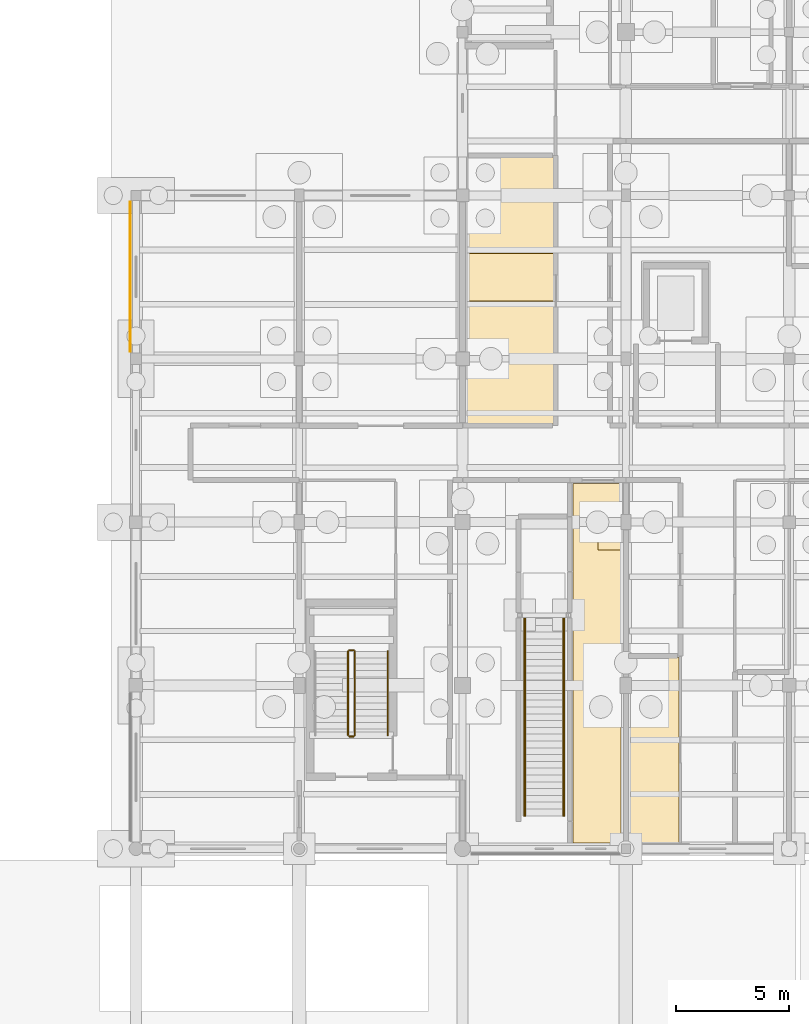
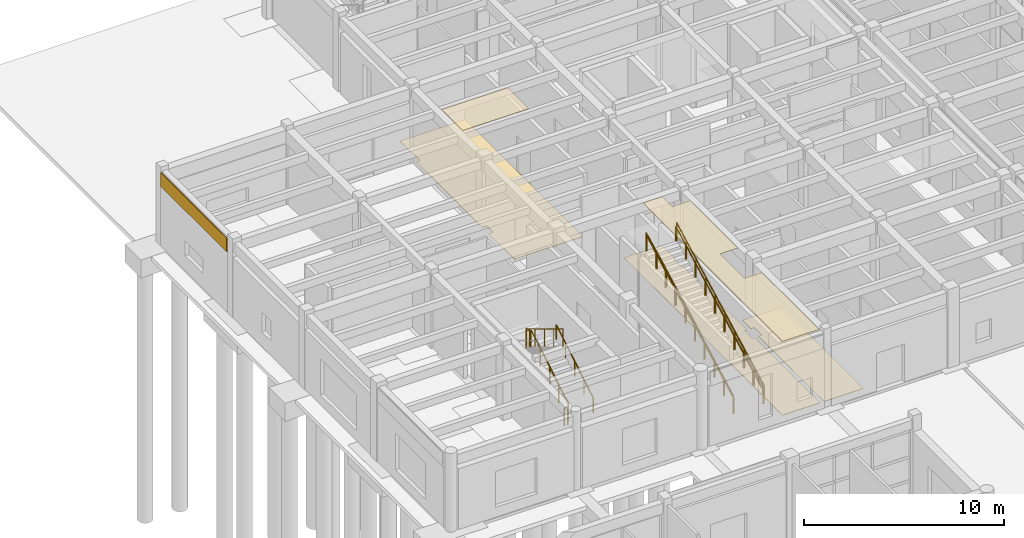
# One storey, part 132 of 143: 9 railings, 6 coverings.
"""IFC4 building model written with IfcOpenShell, lengths in metres."""

from ifc_helpers import new_model, si_unit, direction, frame, origin, origin_2d, place, context, subcontext, project, spatial, polyline, rectangle, circle, outline, extrude, material, layer, layer_set, type_object, element, save


model = new_model("IFC4")

# Units and contexts
model_context = context("Model", 3, precision=1e-05, world=origin(), true_north=direction((0.0, 1.0)))
body_context = subcontext(model_context, "Body", "Model", "MODEL_VIEW")
ifc_project = project(units=[si_unit("LENGTHUNIT", "METRE"), si_unit("AREAUNIT", "SQUARE_METRE"), si_unit("VOLUMEUNIT", "CUBIC_METRE"), si_unit("PLANEANGLEUNIT", "RADIAN"), si_unit("MASSUNIT", "GRAM", prefix="KILO")], contexts=[model_context])

# Site, building, storey
site_placement = place(None, origin())
site = spatial("IfcSite", under=ifc_project, at=site_placement, CompositionType="ELEMENT")
building_placement = place(site_placement, origin())
building = spatial("IfcBuilding", under=site, at=building_placement, Name="Steenspoor Specialist Clinic", CompositionType="ELEMENT")
storey_placement = place(building_placement, origin())
storey = spatial("IfcBuildingStorey", under=building, at=storey_placement, Name="L00", CompositionType="ELEMENT", Elevation=0.0)

# Coverings
ifc_material_1 = material(Name="Washable acoustic mineral ceiling board", Category="gypsum")
ifc_layer_1 = layer(ifc_material_1, 0.02490234375)
ifc_layer_set_1 = layer_set([ifc_layer_1], Name="Washable acoustic mineral ceiling board")
covering_type_1 = type_object("IfcCoveringType", Name="COV-CEIL-ACOUSTIC", PredefinedType="CEILING", material=ifc_layer_set_1)
covering_1_placement = place(storey_placement, frame((0.0, 0.0, 4.4951171875)))
element("IfcCovering", 1, at=covering_1_placement, inside=storey, type_object=covering_type_1, Name="Acoustic Clinical Ceiling 074", PredefinedType="CEILING", context=body_context, shape_type="SweptSolid", body=[
    extrude(outline(polyline([(34.875, 65.409912109375), (34.875, 79.330078125), (35.97998046875, 79.330078125), (35.97998046875, 78.330078125), (37.0048828125, 78.330078125), (37.0048828125, 73.570068359375), (35.97998046875, 73.570068359375), (35.97998046875, 71.1298828125), (36.97998046875, 71.1298828125), (36.97998046875, 65.409912109375), (34.875, 65.409912109375)])), origin(), (0.0, 0.0, 1.0), 0.02490234375),
])
covering_2_placement = place(storey_placement, frame((0.0, 0.0, 4.4951171875)))
element("IfcCovering", 2, at=covering_2_placement, inside=storey, type_object=covering_type_1, Name="Acoustic Clinical Ceiling 077", PredefinedType="CEILING", context=body_context, shape_type="SweptSolid", body=[
    extrude(outline(polyline([(34.034912109375, 89.2900390625), (30.219970703125, 89.2900390625), (30.219970703125, 91.39990234375), (34.034912109375, 91.39990234375), (34.034912109375, 89.2900390625)])), origin(), (0.0, 0.0, 1.0), 0.02490234375),
])
ifc_material_2 = material(Name="Glazed ceramic relief spandrel cladding", Category="masonry")
ifc_layer_2 = layer(ifc_material_2, 0.034912109375)
ifc_layer_set_2 = layer_set([ifc_layer_2], Name="Glazed ceramic relief spandrel cladding")
covering_type_2 = type_object("IfcCoveringType", Name="COV-CLAD-CERAMIC", PredefinedType="CLADDING", material=ifc_layer_set_2)
covering_3_placement = place(storey_placement, frame((15.35009765625, 90.362548828125, 3.68505859375), z_axis=(0.0, 0.0, 1.0), x_axis=(0.0, 1.0, 0.0)))
element("IfcCovering", 3, at=covering_3_placement, inside=storey, type_object=covering_type_2, Name="Spandrel Cladding 66", PredefinedType="CLADDING", context=body_context, shape_type="SweptSolid", body=[
    extrude(rectangle(XDim=6.60498046875, YDim=0.0400390625, at=origin_2d()), origin(), (0.0, 0.0, 1.0), 0.840087890625),
])
ifc_material_3 = material(Name="Seamless clinical vinyl and terrazzo flooring", Category="plastic")
ifc_layer_3 = layer(ifc_material_3, 0.02001953125)
ifc_layer_set_3 = layer_set([ifc_layer_3], Name="Seamless clinical vinyl and terrazzo flooring")
covering_type_3 = type_object("IfcCoveringType", Name="COV-FLOOR-VINYL", PredefinedType="FLOORING", material=ifc_layer_set_3)
covering_4_placement = place(storey_placement, origin())
element("IfcCovering", 4, at=covering_4_placement, inside=storey, type_object=covering_type_3, Name="Clinical Vinyl Flooring 106", PredefinedType="FLOORING", context=body_context, shape_type="SweptSolid", body=[
    extrude(outline(polyline([(37.050048828125, 79.889892578125), (36.9599609375, 79.889892578125), (36.9599609375, 79.2099609375), (37.050048828125, 79.2099609375), (37.050048828125, 72.715087890625), (36.93505859375, 72.715087890625), (36.93505859375, 71.985107421875), (37.050048828125, 71.985107421875), (37.050048828125, 65.409912109375), (34.875, 65.409912109375), (34.875, 81.25), (37.050048828125, 81.25), (37.050048828125, 79.889892578125)])), origin(), (0.0, 0.0, 1.0), 0.02001953125),
])
covering_5_placement = place(storey_placement, origin())
element("IfcCovering", 5, at=covering_5_placement, inside=storey, type_object=covering_type_3, Name="Clinical Vinyl Flooring 107", PredefinedType="FLOORING", context=body_context, shape_type="SweptSolid", body=[
    extrude(outline(polyline([(39.534912109375, 73.580078125), (39.534912109375, 65.409912109375), (37.264892578125, 65.409912109375), (37.264892578125, 71.985107421875), (37.465087890625, 71.985107421875), (37.465087890625, 72.715087890625), (37.264892578125, 72.715087890625), (37.264892578125, 73.580078125), (39.534912109375, 73.580078125)])), origin(), (0.0, 0.0, 1.0), 0.02001953125),
])
covering_6_placement = place(storey_placement, origin())
element("IfcCovering", 6, at=covering_6_placement, inside=storey, type_object=covering_type_3, Name="Clinical Vinyl Flooring 111", PredefinedType="FLOORING", context=body_context, shape_type="SweptSolid", body=[
    extrude(outline(polyline([(34.034912109375, 83.864990234375), (30.06494140625, 83.864990234375), (30.06494140625, 86.43505859375), (30.31494140625, 86.43505859375), (30.31494140625, 87.06494140625), (30.06494140625, 87.06494140625), (30.06494140625, 93.659912109375), (30.2900390625, 93.659912109375), (30.2900390625, 94.239990234375), (30.260009765625, 94.239990234375), (30.260009765625, 95.639892578125), (34.034912109375, 95.639892578125), (34.034912109375, 83.864990234375)])), origin(), (0.0, 0.0, 1.0), 0.02001953125),
])

# Railings
ifc_material_4 = material(Name="Painted architectural steel balustrade", Category="steel")
railing_type_1 = type_object("IfcRailingType", Name="RAIL-GUARD-1100", PredefinedType="GUARDRAIL", material=ifc_material_4)
railing_1_placement = place(storey_placement, frame((25.25, 70.14990234375, 0.17138671875)))
element("IfcRailing", 7, at=railing_1_placement, inside=storey, type_object=railing_type_1, Name="L00 ST-V5B stair guard 1", PredefinedType="GUARDRAIL", context=body_context, shape_type="SweptSolid", body=[
    extrude(circle(Radius=0.02392578125, at=origin_2d()), frame((0.0, 0.0, 1.076171875), z_axis=(0.0, 0.856934400257, 0.515425487977), x_axis=(-1.0, 0.0, 0.0)), (0.0, 0.0, 1.0), 4.32373046875),
    extrude(circle(Radius=0.02099609375, at=origin_2d()), origin(), (0.0, 0.0, 1.0), 1.052001953125),
    extrude(circle(Radius=0.02099609375, at=origin_2d()), frame((0.0, 0.92626953125, 0.55712890625)), (0.0, 0.0, 1.0), 1.052001953125),
    extrude(circle(Radius=0.02099609375, at=origin_2d()), frame((0.0, 1.8525390625, 1.1142578125)), (0.0, 0.0, 1.0), 1.052001953125),
    extrude(circle(Radius=0.02099609375, at=origin_2d()), frame((0.0, 2.77880859375, 1.67138671875)), (0.0, 0.0, 1.0), 1.052001953125),
    extrude(circle(Radius=0.02099609375, at=origin_2d()), frame((0.0, 3.705078125, 2.228515625)), (0.0, 0.0, 1.0), 1.052001953125),
])
railing_2_placement = place(storey_placement, frame((25.199951171875, 73.905029296875, 2.39990234375)))
element("IfcRailing", 8, at=railing_2_placement, inside=storey, type_object=railing_type_1, Name="L00 ST-V5B stair guard 2", PredefinedType="GUARDRAIL", context=body_context, shape_type="SweptSolid", body=[
    extrude(circle(Radius=0.02392578125, at=origin_2d()), frame((0.0, 0.0, 1.076171875), z_axis=(-1.0, 0.0, 0.0), x_axis=(0.0, -1.0, 0.0)), (0.0, 0.0, 1.0), 0.199951171875),
    extrude(circle(Radius=0.02099609375, at=origin_2d()), origin(), (0.0, 0.0, 1.0), 1.052001953125),
    extrude(circle(Radius=0.02099609375, at=origin_2d()), frame((-0.199951171875, 0.0, 0.0)), (0.0, 0.0, 1.0), 1.052001953125),
])
railing_3_placement = place(storey_placement, frame((24.949951171875, 73.85498046875, 2.571533203125)))
element("IfcRailing", 9, at=railing_3_placement, inside=storey, type_object=railing_type_1, Name="L00 ST-V5B stair guard 3", PredefinedType="GUARDRAIL", context=body_context, shape_type="SweptSolid", body=[
    extrude(circle(Radius=0.02392578125, at=origin_2d()), frame((0.0, 0.0, 1.076171875), z_axis=(0.0, -0.856934400257, 0.515425487977), x_axis=(1.0, 0.0, 0.0)), (0.0, 0.0, 1.0), 4.32373046875),
    extrude(circle(Radius=0.02099609375, at=origin_2d()), origin(), (0.0, 0.0, 1.0), 1.052001953125),
    extrude(circle(Radius=0.02099609375, at=origin_2d()), frame((0.0, -0.92626953125, 0.55712890625)), (0.0, 0.0, 1.0), 1.052001953125),
    extrude(circle(Radius=0.02099609375, at=origin_2d()), frame((0.0, -1.8525390625, 1.1142578125)), (0.0, 0.0, 1.0), 1.052001953125),
    extrude(circle(Radius=0.02099609375, at=origin_2d()), frame((0.0, -2.77880859375, 1.67138671875)), (0.0, 0.0, 1.0), 1.052001953125),
    extrude(circle(Radius=0.02099609375, at=origin_2d()), frame((0.0, -3.705078125, 2.228515625)), (0.0, 0.0, 1.0), 1.052001953125),
])
railing_4_placement = place(storey_placement, frame((25.199951171875, 70.10009765625, 0.0)))
element("IfcRailing", 10, at=railing_4_placement, inside=storey, type_object=railing_type_1, Name="L00 ST-V5B stair guard 4", PredefinedType="GUARDRAIL", context=body_context, shape_type="SweptSolid", body=[
    extrude(circle(Radius=0.02392578125, at=origin_2d()), frame((0.0, 0.0, 1.076171875), z_axis=(-1.0, 0.0, 0.0), x_axis=(0.0, -1.0, 0.0)), (0.0, 0.0, 1.0), 0.199951171875),
    extrude(circle(Radius=0.02099609375, at=origin_2d()), origin(), (0.0, 0.0, 1.0), 1.052001953125),
    extrude(circle(Radius=0.02099609375, at=origin_2d()), frame((-0.199951171875, 0.0, 0.0)), (0.0, 0.0, 1.0), 1.052001953125),
])
for number, where, name in (
    (11, (32.72509765625, 66.60009765625, 0.159912109375), "ST-F05 Flight Guard L"),
    (12, (34.47509765625, 66.60009765625, 0.159912109375), "ST-F05 Flight Guard R"),
):
    element("IfcRailing", number, at=place(storey_placement, frame(where)), inside=storey, type_object=railing_type_1, Name=name, PredefinedType="GUARDRAIL", context=body_context, shape_type="SweptSolid", body=[
        extrude(circle(Radius=0.02392578125, at=origin_2d()), frame((0.0, 0.0, 1.09619140625), z_axis=(0.0, 0.882346086921, 0.470601086797), x_axis=(-1.0, 0.0, 0.0)), (0.0, 0.0, 1.0), 9.860107421875),
        extrude(circle(Radius=0.02099609375, at=origin_2d()), origin(), (0.0, 0.0, 1.0), 1.072021484375),
        extrude(circle(Radius=0.02099609375, at=origin_2d()), frame((0.0, 0.966552734375, 0.515625)), (0.0, 0.0, 1.0), 1.072021484375),
        extrude(circle(Radius=0.02099609375, at=origin_2d()), frame((0.0, 1.933349609375, 1.03125)), (0.0, 0.0, 1.0), 1.072021484375),
        extrude(circle(Radius=0.02099609375, at=origin_2d()), frame((0.0, 2.89990234375, 1.546630859375)), (0.0, 0.0, 1.0), 1.072021484375),
        extrude(circle(Radius=0.02099609375, at=origin_2d()), frame((0.0, 3.86669921875, 2.062255859375)), (0.0, 0.0, 1.0), 1.072021484375),
        extrude(circle(Radius=0.02099609375, at=origin_2d()), frame((0.0, 4.833251953125, 2.577880859375)), (0.0, 0.0, 1.0), 1.072021484375),
        extrude(circle(Radius=0.02099609375, at=origin_2d()), frame((0.0, 5.800048828125, 3.093505859375)), (0.0, 0.0, 1.0), 1.072021484375),
        extrude(circle(Radius=0.02099609375, at=origin_2d()), frame((0.0, 6.7666015625, 3.60888671875)), (0.0, 0.0, 1.0), 1.072021484375),
        extrude(circle(Radius=0.02099609375, at=origin_2d()), frame((0.0, 7.7333984375, 4.12451171875)), (0.0, 0.0, 1.0), 1.072021484375),
        extrude(circle(Radius=0.02099609375, at=origin_2d()), frame((0.0, 8.699951171875, 4.64013671875)), (0.0, 0.0, 1.0), 1.072021484375),
    ])
ifc_material_5 = material(Name="Brushed stainless steel clinical handrail", Category="steel")
railing_type_2 = type_object("IfcRailingType", Name="RAIL-HAND-900", PredefinedType="HANDRAIL", material=ifc_material_5)
railing_5_placement = place(storey_placement, frame((26.699951171875, 70.14990234375, 0.17138671875)))
element("IfcRailing", 13, at=railing_5_placement, inside=storey, type_object=railing_type_2, Name="L00 ST-V5B stair handrail 1", PredefinedType="HANDRAIL", context=body_context, shape_type="SweptSolid", body=[
    extrude(circle(Radius=0.02392578125, at=origin_2d()), frame((0.0, 0.0, 0.8759765625), z_axis=(0.0, 0.856934400257, 0.515425487977), x_axis=(-1.0, 0.0, 0.0)), (0.0, 0.0, 1.0), 4.32373046875),
    extrude(circle(Radius=0.02099609375, at=origin_2d()), origin(), (0.0, 0.0, 1.0), 0.851806640625),
    extrude(circle(Radius=0.02099609375, at=origin_2d()), frame((0.0, 0.92626953125, 0.55712890625)), (0.0, 0.0, 1.0), 0.851806640625),
    extrude(circle(Radius=0.02099609375, at=origin_2d()), frame((0.0, 1.8525390625, 1.1142578125)), (0.0, 0.0, 1.0), 0.851806640625),
    extrude(circle(Radius=0.02099609375, at=origin_2d()), frame((0.0, 2.77880859375, 1.67138671875)), (0.0, 0.0, 1.0), 0.851806640625),
    extrude(circle(Radius=0.02099609375, at=origin_2d()), frame((0.0, 3.705078125, 2.228515625)), (0.0, 0.0, 1.0), 0.851806640625),
])
for number, where, name in (
    (14, (32.764892578125, 66.60009765625, 0.159912109375), "ST-F05 Handrail L"),
    (15, (34.43505859375, 66.60009765625, 0.159912109375), "ST-F05 Handrail R"),
):
    element("IfcRailing", number, at=place(storey_placement, frame(where)), inside=storey, type_object=railing_type_2, Name=name, PredefinedType="HANDRAIL", context=body_context, shape_type="SweptSolid", body=[
        extrude(circle(Radius=0.02392578125, at=origin_2d()), frame((0.0, 0.0, 0.8759765625), z_axis=(0.0, 0.882346086921, 0.470601086797), x_axis=(-1.0, 0.0, 0.0)), (0.0, 0.0, 1.0), 9.860107421875),
        extrude(circle(Radius=0.02099609375, at=origin_2d()), origin(), (0.0, 0.0, 1.0), 0.851806640625),
        extrude(circle(Radius=0.02099609375, at=origin_2d()), frame((0.0, 0.966552734375, 0.515625)), (0.0, 0.0, 1.0), 0.851806640625),
        extrude(circle(Radius=0.02099609375, at=origin_2d()), frame((0.0, 1.933349609375, 1.03125)), (0.0, 0.0, 1.0), 0.851806640625),
        extrude(circle(Radius=0.02099609375, at=origin_2d()), frame((0.0, 2.89990234375, 1.546630859375)), (0.0, 0.0, 1.0), 0.851806640625),
        extrude(circle(Radius=0.02099609375, at=origin_2d()), frame((0.0, 3.86669921875, 2.062255859375)), (0.0, 0.0, 1.0), 0.851806640625),
        extrude(circle(Radius=0.02099609375, at=origin_2d()), frame((0.0, 4.833251953125, 2.577880859375)), (0.0, 0.0, 1.0), 0.851806640625),
        extrude(circle(Radius=0.02099609375, at=origin_2d()), frame((0.0, 5.800048828125, 3.093505859375)), (0.0, 0.0, 1.0), 0.851806640625),
        extrude(circle(Radius=0.02099609375, at=origin_2d()), frame((0.0, 6.7666015625, 3.60888671875)), (0.0, 0.0, 1.0), 0.851806640625),
        extrude(circle(Radius=0.02099609375, at=origin_2d()), frame((0.0, 7.7333984375, 4.12451171875)), (0.0, 0.0, 1.0), 0.851806640625),
        extrude(circle(Radius=0.02099609375, at=origin_2d()), frame((0.0, 8.699951171875, 4.64013671875)), (0.0, 0.0, 1.0), 0.851806640625),
    ])

save(model, "model.ifc")
